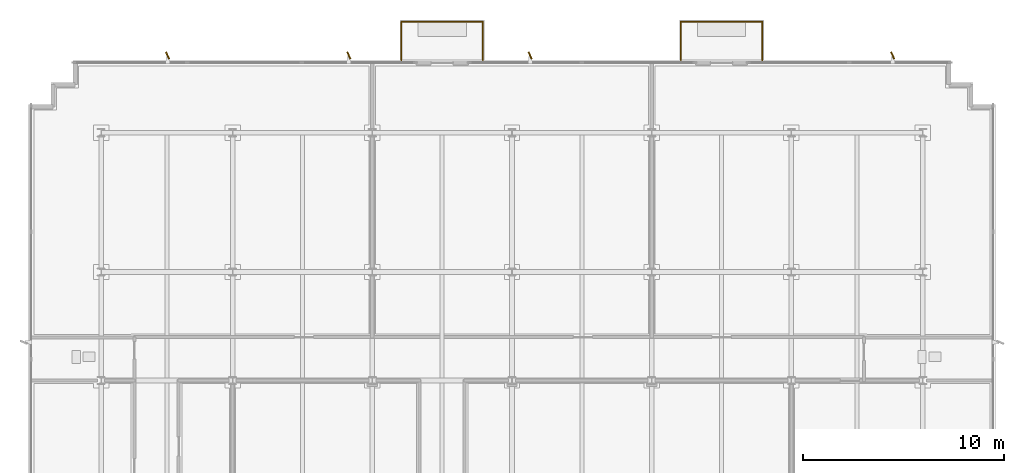
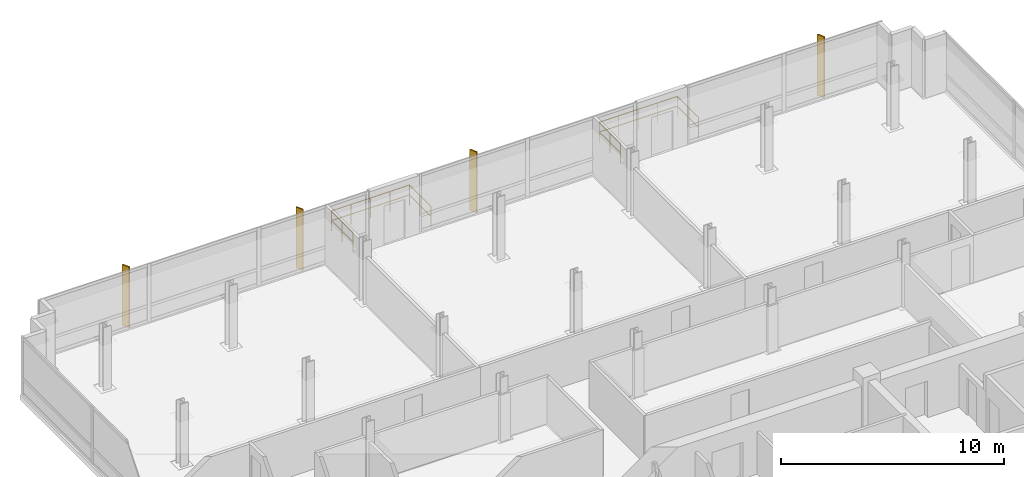
# One storey, part 14 of 15: 6 railings, 4 shading devices.
"""IFC4 building model written with IfcOpenShell, lengths in metres."""

from ifc_helpers import new_model, si_unit, direction, frame, origin, origin_2d, place, context, subcontext, project, spatial, rectangle, circle, extrude, material, layer, layer_set, type_object, element, save


model = new_model("IFC4")

# Units and contexts
model_context = context("Model", 3, precision=1e-05, world=origin(), true_north=direction((0.0, 1.0)))
body_context = subcontext(model_context, "Body", "Model", "MODEL_VIEW")
ifc_project = project(units=[si_unit("LENGTHUNIT", "METRE"), si_unit("AREAUNIT", "SQUARE_METRE"), si_unit("VOLUMEUNIT", "CUBIC_METRE"), si_unit("PLANEANGLEUNIT", "RADIAN"), si_unit("MASSUNIT", "GRAM", prefix="KILO")], contexts=[model_context])

# Site, building, storey
site_placement = place(None, origin())
site = spatial("IfcSite", under=ifc_project, at=site_placement, CompositionType="ELEMENT")
building_placement = place(site_placement, origin())
building = spatial("IfcBuilding", under=site, at=building_placement, Name="Solmavex Isthmus Hotel", CompositionType="ELEMENT")
storey_placement = place(building_placement, frame((0.0, 0.0, 273.0)))
storey = spatial("IfcBuildingStorey", under=building, at=storey_placement, Name="L74", CompositionType="ELEMENT", Elevation=273.0)

# Railings
ifc_material_1 = material(Name="Clear low-E laminated glass", Category="glass")
ifc_layer = layer(ifc_material_1, 0.070068359375)
ifc_layer_set = layer_set([ifc_layer], Name="Clear low-E laminated glass")
railing_type = type_object("IfcRailingType", Name="RAIL-GUARD-1100", PredefinedType="BALUSTRADE", material=ifc_layer_set)
railing_1_placement = place(storey_placement, frame((-5.488037109375, 21.300048828125, 0.0)))
element("IfcRailing", 1, at=railing_1_placement, inside=storey, type_object=railing_type, Name="Guardrail Balustrade L74-BAL1-01", PredefinedType="BALUSTRADE", context=body_context, shape_type="SweptSolid", body=[
    extrude(circle(Radius=0.02392578125, at=origin_2d()), frame((0.0, 0.0, 1.09619140625), z_axis=(0.0, 1.0, 0.0), x_axis=(-1.0, 0.0, 0.0)), (0.0, 0.0, 1.0), 1.919921875),
    extrude(circle(Radius=0.02392578125, at=origin_2d()), frame((0.0, 0.0, 0.56005859375), z_axis=(0.0, 1.0, 0.0), x_axis=(-1.0, 0.0, 0.0)), (0.0, 0.0, 1.0), 1.919921875),
    extrude(circle(Radius=0.02099609375, at=origin_2d()), origin(), (0.0, 0.0, 1.0), 1.072021484375),
    extrude(circle(Radius=0.02099609375, at=origin_2d()), frame((0.0, 0.9599609375, 0.0)), (0.0, 0.0, 1.0), 1.072021484375),
    extrude(circle(Radius=0.02099609375, at=origin_2d()), frame((0.0, 1.919921875, 0.0)), (0.0, 0.0, 1.0), 1.072021484375),
])
railing_2_placement = place(storey_placement, frame((-5.488037109375, 23.219970703125, 0.0)))
element("IfcRailing", 2, at=railing_2_placement, inside=storey, type_object=railing_type, Name="Guardrail Balustrade L74-BAL1-02", PredefinedType="BALUSTRADE", context=body_context, shape_type="SweptSolid", body=[
    extrude(circle(Radius=0.02392578125, at=origin_2d()), frame((0.0, 0.0, 1.09619140625), z_axis=(1.0, 0.0, 0.0), x_axis=(0.0, 1.0, 0.0)), (0.0, 0.0, 1.0), 4.0400390625),
    extrude(circle(Radius=0.02392578125, at=origin_2d()), frame((0.0, 0.0, 0.56005859375), z_axis=(1.0, 0.0, 0.0), x_axis=(0.0, 1.0, 0.0)), (0.0, 0.0, 1.0), 4.0400390625),
    extrude(circle(Radius=0.02099609375, at=origin_2d()), origin(), (0.0, 0.0, 1.0), 1.072021484375),
    extrude(circle(Radius=0.02099609375, at=origin_2d()), frame((1.010009765625, 0.0, 0.0)), (0.0, 0.0, 1.0), 1.072021484375),
    extrude(circle(Radius=0.02099609375, at=origin_2d()), frame((2.02001953125, 0.0, 0.0)), (0.0, 0.0, 1.0), 1.072021484375),
    extrude(circle(Radius=0.02099609375, at=origin_2d()), frame((3.030029296875, 0.0, 0.0)), (0.0, 0.0, 1.0), 1.072021484375),
    extrude(circle(Radius=0.02099609375, at=origin_2d()), frame((4.0400390625, 0.0, 0.0)), (0.0, 0.0, 1.0), 1.072021484375),
])
railing_3_placement = place(storey_placement, frame((-1.447998046875, 23.219970703125, 0.0)))
element("IfcRailing", 3, at=railing_3_placement, inside=storey, type_object=railing_type, Name="Guardrail Balustrade L74-BAL1-03", PredefinedType="BALUSTRADE", context=body_context, shape_type="SweptSolid", body=[
    extrude(circle(Radius=0.02392578125, at=origin_2d()), frame((0.0, 0.0, 1.09619140625), z_axis=(0.0, -1.0, 0.0), x_axis=(1.0, 0.0, 0.0)), (0.0, 0.0, 1.0), 1.919921875),
    extrude(circle(Radius=0.02392578125, at=origin_2d()), frame((0.0, 0.0, 0.56005859375), z_axis=(0.0, -1.0, 0.0), x_axis=(1.0, 0.0, 0.0)), (0.0, 0.0, 1.0), 1.919921875),
    extrude(circle(Radius=0.02099609375, at=origin_2d()), origin(), (0.0, 0.0, 1.0), 1.072021484375),
    extrude(circle(Radius=0.02099609375, at=origin_2d()), frame((0.0, -0.9599609375, 0.0)), (0.0, 0.0, 1.0), 1.072021484375),
    extrude(circle(Radius=0.02099609375, at=origin_2d()), frame((0.0, -1.919921875, 0.0)), (0.0, 0.0, 1.0), 1.072021484375),
])
railing_4_placement = place(storey_placement, frame((8.384033203125, 21.300048828125, 0.0)))
element("IfcRailing", 4, at=railing_4_placement, inside=storey, type_object=railing_type, Name="Guardrail Balustrade L74-BAL2-01", PredefinedType="BALUSTRADE", context=body_context, shape_type="SweptSolid", body=[
    extrude(circle(Radius=0.02392578125, at=origin_2d()), frame((0.0, 0.0, 1.09619140625), z_axis=(0.0, 1.0, 0.0), x_axis=(-1.0, 0.0, 0.0)), (0.0, 0.0, 1.0), 1.919921875),
    extrude(circle(Radius=0.02392578125, at=origin_2d()), frame((0.0, 0.0, 0.56005859375), z_axis=(0.0, 1.0, 0.0), x_axis=(-1.0, 0.0, 0.0)), (0.0, 0.0, 1.0), 1.919921875),
    extrude(circle(Radius=0.02099609375, at=origin_2d()), origin(), (0.0, 0.0, 1.0), 1.072021484375),
    extrude(circle(Radius=0.02099609375, at=origin_2d()), frame((0.0, 0.9599609375, 0.0)), (0.0, 0.0, 1.0), 1.072021484375),
    extrude(circle(Radius=0.02099609375, at=origin_2d()), frame((0.0, 1.919921875, 0.0)), (0.0, 0.0, 1.0), 1.072021484375),
])
railing_5_placement = place(storey_placement, frame((8.384033203125, 23.219970703125, 0.0)))
element("IfcRailing", 5, at=railing_5_placement, inside=storey, type_object=railing_type, Name="Guardrail Balustrade L74-BAL2-02", PredefinedType="BALUSTRADE", context=body_context, shape_type="SweptSolid", body=[
    extrude(circle(Radius=0.02392578125, at=origin_2d()), frame((0.0, 0.0, 1.09619140625), z_axis=(1.0, 0.0, 0.0), x_axis=(0.0, 1.0, 0.0)), (0.0, 0.0, 1.0), 4.0400390625),
    extrude(circle(Radius=0.02392578125, at=origin_2d()), frame((0.0, 0.0, 0.56005859375), z_axis=(1.0, 0.0, 0.0), x_axis=(0.0, 1.0, 0.0)), (0.0, 0.0, 1.0), 4.0400390625),
    extrude(circle(Radius=0.02099609375, at=origin_2d()), origin(), (0.0, 0.0, 1.0), 1.072021484375),
    extrude(circle(Radius=0.02099609375, at=origin_2d()), frame((1.010009765625, 0.0, 0.0)), (0.0, 0.0, 1.0), 1.072021484375),
    extrude(circle(Radius=0.02099609375, at=origin_2d()), frame((2.02001953125, 0.0, 0.0)), (0.0, 0.0, 1.0), 1.072021484375),
    extrude(circle(Radius=0.02099609375, at=origin_2d()), frame((3.030029296875, 0.0, 0.0)), (0.0, 0.0, 1.0), 1.072021484375),
    extrude(circle(Radius=0.02099609375, at=origin_2d()), frame((4.0400390625, 0.0, 0.0)), (0.0, 0.0, 1.0), 1.072021484375),
])
railing_6_placement = place(storey_placement, frame((12.424072265625, 23.219970703125, 0.0)))
element("IfcRailing", 6, at=railing_6_placement, inside=storey, type_object=railing_type, Name="Guardrail Balustrade L74-BAL2-03", PredefinedType="BALUSTRADE", context=body_context, shape_type="SweptSolid", body=[
    extrude(circle(Radius=0.02392578125, at=origin_2d()), frame((0.0, 0.0, 1.09619140625), z_axis=(0.0, -1.0, 0.0), x_axis=(1.0, 0.0, 0.0)), (0.0, 0.0, 1.0), 1.919921875),
    extrude(circle(Radius=0.02392578125, at=origin_2d()), frame((0.0, 0.0, 0.56005859375), z_axis=(0.0, -1.0, 0.0), x_axis=(1.0, 0.0, 0.0)), (0.0, 0.0, 1.0), 1.919921875),
    extrude(circle(Radius=0.02099609375, at=origin_2d()), origin(), (0.0, 0.0, 1.0), 1.072021484375),
    extrude(circle(Radius=0.02099609375, at=origin_2d()), frame((0.0, -0.9599609375, 0.0)), (0.0, 0.0, 1.0), 1.072021484375),
    extrude(circle(Radius=0.02099609375, at=origin_2d()), frame((0.0, -1.919921875, 0.0)), (0.0, 0.0, 1.0), 1.072021484375),
])

# Shading devices
ifc_material_2 = material(Name="Aluminium alloy 6063-T6", Category="aluminium")
shading_device_type = type_object("IfcShadingDeviceType", Name="SHD-FIN-CHAMP", PredefinedType="USERDEFINED", material=ifc_material_2)
for number, where, z_axis, x_axis, name in (
    (7, (-17.10009765625, 21.5400390625, -0.14013671875), (0.0, 0.0, 1.0), (-0.438371146789, 0.898794046299, 0.0), "Anodised Aluminium Solar Fin L74-N1"),
    (8, (-8.10009765625, 21.5400390625, -0.14013671875), (0.0, 0.0, 1.0), (-0.438371146789, 0.898794046299, 0.0), "Anodised Aluminium Solar Fin L74-N2"),
    (9, (0.89990234375, 21.5400390625, -0.14013671875), (0.0, 0.0, 1.0), (-0.438371146789, 0.898794046299, 0.0), "Anodised Aluminium Solar Fin L74-N3"),
    (10, (18.89990234375, 21.5400390625, -0.14013671875), (0.0, 0.0, 1.0), (-0.438371146789, 0.898794046299, 0.0), "Anodised Aluminium Solar Fin L74-N4"),
):
    element("IfcShadingDevice", number, at=place(storey_placement, frame(where, z_axis=z_axis, x_axis=x_axis)), inside=storey, type_object=shading_device_type, Name=name, ObjectType="SOLAR_FIN", PredefinedType="USERDEFINED", context=body_context, shape_type="SweptSolid", body=[
        extrude(rectangle(XDim=0.3798828125, YDim=0.070068359375, at=origin_2d()), origin(), (0.0, 0.0, 1.0), 3.330078125),
    ])

save(model, "model.ifc")
